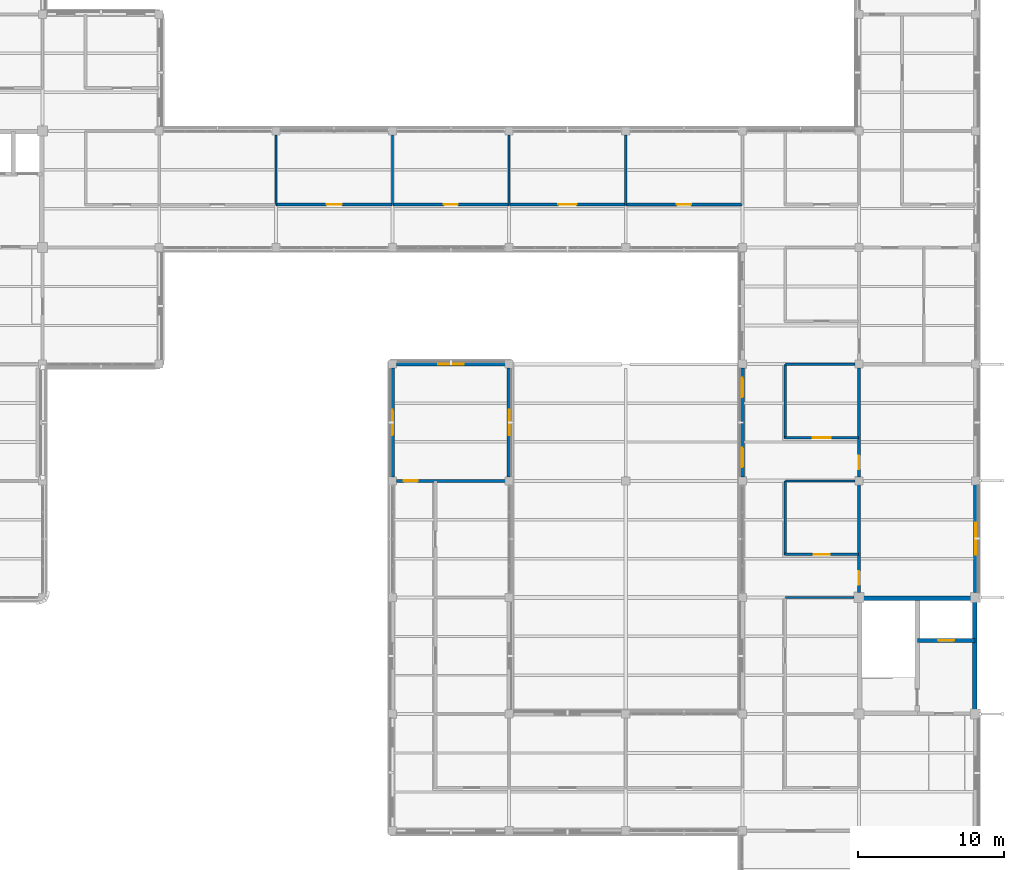
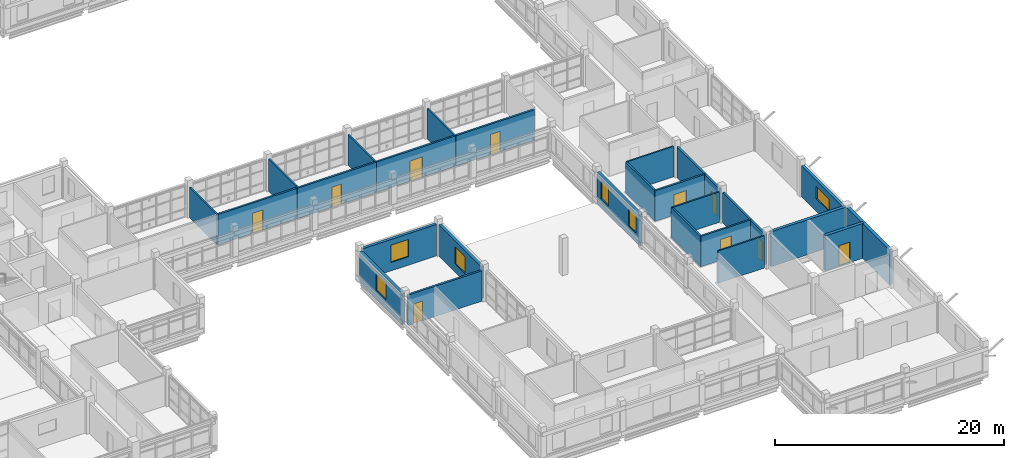
# One storey, part 84 of 107: 26 walls, 10 doors, 6 windows, 16 openings.
"""IFC4 building model written with IfcOpenShell, lengths in metres."""

import ifcopenshell
import ifcopenshell.guid

model = None  # the IFC model being written
_history = None  # IfcOwnerHistory: only IFC2X3 demands one
_inside = {}  # id of a spatial element -> (the spatial element, [elements in it])
_under = {}  # id of a project, library or spatial element -> (it, [spatial elements below it])
_declared = {}  # id of a project -> (the project, [libraries it declares])
_typed = {}  # id of a type object -> (the type object, [elements of that type])
_made_of = {}  # id of a material, layer set ... -> (it, [elements and type objects made of it])


def new_model(schema):
    """Start an empty IFC model of exactly this schema.

    Asked for "IFC4X3", IfcOpenShell would pick the latest addendum, in which some entities
    have other attributes; the version numbers below select the first issue.
    IFC2X3 requires an IfcOwnerHistory on every rooted entity: one is made here for all.
    """
    global model, _history
    if schema == "IFC4X3":
        model = ifcopenshell.file(schema_version=(4, 3, 0, 0))
    else:
        model = ifcopenshell.file(schema=schema)
    _inside.clear()
    _under.clear()
    _declared.clear()
    _typed.clear()
    _made_of.clear()
    _history = None
    if model.schema == "IFC2X3":
        org = make("IfcOrganization", Name="unknown")
        user = make(
            "IfcPersonAndOrganization",
            ThePerson=make("IfcPerson", FamilyName="unknown"),
            TheOrganization=org,
        )
        app = make(
            "IfcApplication",
            ApplicationDeveloper=org,
            Version="unknown",
            ApplicationFullName="unknown",
            ApplicationIdentifier="unknown",
        )
        _history = make(
            "IfcOwnerHistory",
            OwningUser=user,
            OwningApplication=app,
            ChangeAction="ADDED",
            CreationDate=0,
        )
    return model


def make(cls, **values):
    """One entity of the class cls with the attributes given. An attribute that is None is left unset."""
    return model.create_entity(
        cls, **{name: value for name, value in values.items() if value is not None}
    )


def rooted(cls, **values):
    """An entity with a GlobalId (a new one), such as an element, a storey or a relation."""
    return make(cls, GlobalId=ifcopenshell.guid.new(), OwnerHistory=_history, **values)


def si_unit(unit_type, name, prefix=None):
    """IfcSIUnit, for example si_unit("LENGTHUNIT", "METRE", prefix="MILLI")."""
    return make("IfcSIUnit", UnitType=unit_type, Prefix=prefix, Name=name)


def derived_unit(unit_type, elements):
    """IfcDerivedUnit: a product of units, each with its exponent."""
    return make(
        "IfcDerivedUnit",
        Elements=[
            make("IfcDerivedUnitElement", Unit=unit, Exponent=power)
            for unit, power in elements
        ],
        UnitType=unit_type,
    )


def assignment(units):
    """IfcUnitAssignment: the units of a project."""
    return None if units is None else make("IfcUnitAssignment", Units=units)


def point(xyz):
    """IfcCartesianPoint."""
    return None if xyz is None else make("IfcCartesianPoint", Coordinates=xyz)


def direction(xyz):
    """IfcDirection."""
    return None if xyz is None else make("IfcDirection", DirectionRatios=xyz)


def frame(location, z_axis=None, x_axis=None):
    """IfcAxis2Placement3D, a coordinate frame: its origin and axes. An axis left out is left unset."""
    return make(
        "IfcAxis2Placement3D",
        Location=point(location),
        Axis=direction(z_axis),
        RefDirection=direction(x_axis),
    )


def frame_2d(location, x_axis=None):
    """IfcAxis2Placement2D, a coordinate frame in the plane: its origin and x axis."""
    return make(
        "IfcAxis2Placement2D", Location=point(location), RefDirection=direction(x_axis)
    )


def origin():
    """The frame at (0, 0, 0) with its axes left unset."""
    return frame((0.0, 0.0, 0.0))


def place(relative_to, where):
    """IfcLocalPlacement: puts the frame where relative to a parent placement (None: the world)."""
    return make(
        "IfcLocalPlacement", PlacementRelTo=relative_to, RelativePlacement=where
    )


def context(
    kind, dimensions, precision=None, world=None, true_north=None, identifier=None
):
    """IfcGeometricRepresentationContext, for example the 3D "Model" context."""
    return make(
        "IfcGeometricRepresentationContext",
        ContextIdentifier=identifier,
        ContextType=kind,
        CoordinateSpaceDimension=dimensions,
        Precision=precision,
        WorldCoordinateSystem=world,
        TrueNorth=true_north,
    )


def subcontext(parent, identifier, kind, view, scale=None):
    """IfcGeometricRepresentationSubContext, for example "Body" below "Model"."""
    return make(
        "IfcGeometricRepresentationSubContext",
        ContextIdentifier=identifier,
        ContextType=kind,
        ParentContext=parent,
        TargetScale=scale,
        TargetView=view,
    )


def project(units=None, contexts=None):
    """IfcProject with its units and contexts."""
    return rooted(
        "IfcProject",
        Name="project",
        RepresentationContexts=contexts,
        UnitsInContext=assignment(units),
    )


def spatial(cls, under=None, at=None, **own):
    """A site, building, storey or space (cls), placed at a placement, below another one or the project."""
    s = rooted(cls, ObjectPlacement=at, **own)
    if under is not None:
        _under.setdefault(under.id(), (under, []))[1].append(s)
    return s


def profile(cls, at=None, kind="AREA", **sizes):
    """A parametric profile (cls). Its sizes go by their IFC names, for example OverallWidth=200.0."""
    return make(cls, ProfileType=kind, Position=at, **sizes)


def rectangle(**sizes):
    """IfcRectangleProfileDef."""
    return profile("IfcRectangleProfileDef", **sizes)


def extrude(swept, where, along, depth):
    """IfcExtrudedAreaSolid: the profile swept, set in the frame where, extruded along a direction by depth."""
    return make(
        "IfcExtrudedAreaSolid",
        SweptArea=swept,
        Position=where,
        ExtrudedDirection=direction(along),
        Depth=depth,
    )


def shape(context_of_items, identifier, shape_type, items):
    """IfcShapeRepresentation: the items that make up one representation, for example the "Body"."""
    return make(
        "IfcShapeRepresentation",
        ContextOfItems=context_of_items,
        RepresentationIdentifier=identifier,
        RepresentationType=shape_type,
        Items=items,
    )


def material(Name=None, Category=None):
    """IfcMaterial."""
    return make("IfcMaterial", Name=Name, Category=Category)


def layer(
    of_material, thickness, ventilated=None, Name=None, Category=None, Priority=None
):
    """IfcMaterialLayer: one layer of a wall or slab, of a material (None: an air gap)."""
    return make(
        "IfcMaterialLayer",
        Material=of_material,
        LayerThickness=thickness,
        IsVentilated=ventilated,
        Name=Name,
        Category=Category,
        Priority=Priority,
    )


def layer_set(layers, Name=None):
    """IfcMaterialLayerSet."""
    return make("IfcMaterialLayerSet", MaterialLayers=layers, LayerSetName=Name)


def made_of(thing, what):
    """Note that an element or type object is made of a material, layer set ...; save() writes the relation."""
    if what is not None:
        _made_of.setdefault(what.id(), (what, []))[1].append(thing)
    return thing


def type_object(cls, material=None, **own):
    """A type object (cls), such as IfcWallType, which elements share."""
    return made_of(rooted(cls, **own), material)


def element(
    cls,
    number,
    at=None,
    inside=None,
    cuts=None,
    type_object=None,
    material=None,
    context=None,
    identifier="Body",
    shape_type=None,
    held_by="IfcProductDefinitionShape",
    body=None,
    shapes=None,
    **own,
):
    """One element of the class cls, such as IfcWall. Its Tag is "e" and its number.

    at: its placement. inside: the storey or other place that contains it. cuts: it is an
    opening in that element (IfcRelVoidsElement). A single representation is given by context,
    identifier, shape_type and body (its items); several are given by shapes. held_by: the class
    of the entity that holds the representations. save() writes the other relations.
    """
    e = rooted(cls, Tag="e%d" % number, ObjectPlacement=at, **own)
    if body is not None:
        shapes = [shape(context, identifier, shape_type, body)]
    if shapes is not None:
        e.Representation = make(held_by, Representations=shapes)
    if inside is not None:
        _inside.setdefault(inside.id(), (inside, []))[1].append(e)
    if cuts is not None:
        rooted(
            "IfcRelVoidsElement", RelatingBuildingElement=cuts, RelatedOpeningElement=e
        )
    if type_object is not None:
        _typed.setdefault(type_object.id(), (type_object, []))[1].append(e)
    return made_of(e, material)


def fill(opening, filler):
    """IfcRelFillsElement: the door or window that sits in an opening."""
    return rooted(
        "IfcRelFillsElement",
        RelatingOpeningElement=opening,
        RelatedBuildingElement=filler,
    )


def aggregate(whole, parts):
    """IfcRelAggregates: a whole, such as a stair, and the parts it consists of."""
    return rooted("IfcRelAggregates", RelatingObject=whole, RelatedObjects=parts)


def save(model, path):
    """Write the relations noted so far, then the file.

    IfcRelAggregates (storeys below a building ...), IfcRelContainedInSpatialStructure (elements
    in a storey), IfcRelDefinesByType, IfcRelAssociatesMaterial and IfcRelDeclares: one each for
    every whole, place, type object, material and project.
    """
    for whole, parts in _under.values():
        aggregate(whole, parts)
    for where, things in _inside.values():
        rooted(
            "IfcRelContainedInSpatialStructure",
            RelatedElements=things,
            RelatingStructure=where,
        )
    for kind, things in _typed.values():
        rooted("IfcRelDefinesByType", RelatedObjects=things, RelatingType=kind)
    for what, things in _made_of.values():
        rooted("IfcRelAssociatesMaterial", RelatedObjects=things, RelatingMaterial=what)
    for by, libraries in _declared.values():
        rooted("IfcRelDeclares", RelatingContext=by, RelatedDefinitions=libraries)
    model.write(path)


model = new_model("IFC4")

# Units and contexts
model_context = context("Model", 3, precision=1e-05, world=origin(), true_north=direction((0.0, 1.0)))
body_context = subcontext(model_context, "Body", "Model", "MODEL_VIEW")
ifc_project = project(units=[si_unit("LENGTHUNIT", "METRE"), si_unit("AREAUNIT", "SQUARE_METRE"), si_unit("VOLUMEUNIT", "CUBIC_METRE"), si_unit("PLANEANGLEUNIT", "RADIAN"), si_unit("MASSUNIT", "GRAM", prefix="KILO"), derived_unit("THERMALTRANSMITTANCEUNIT", [(si_unit("MASSUNIT", "GRAM", prefix="KILO"), 1), (si_unit("TIMEUNIT", "SECOND"), -3), (si_unit("THERMODYNAMICTEMPERATUREUNIT", "KELVIN"), -1)])], contexts=[model_context])

# Site, building, storey
site_placement = place(None, origin())
site = spatial("IfcSite", under=ifc_project, at=site_placement, CompositionType="ELEMENT")
building_placement = place(site_placement, origin())
building = spatial("IfcBuilding", under=site, at=building_placement, Name="Veyamyaing Civic Hall", CompositionType="ELEMENT")
storey_placement = place(building_placement, frame((0.0, 0.0, 13.860107421875)))
storey = spatial("IfcBuildingStorey", under=building, at=storey_placement, Name="L03", CompositionType="ELEMENT", Elevation=13.860107421875)

# Walls
ifc_material_1 = material(Name="Concrete C40/50", Category="concrete")
ifc_layer_1 = layer(ifc_material_1, 0.300048828125, Name="Concrete C40/50")
ifc_layer_set_1 = layer_set([ifc_layer_1], Name="Concrete C40/50")
wall_type_1 = type_object("IfcWallType", Name="WT-05", PredefinedType="SHEAR", material=ifc_layer_set_1)
for number, where, z_axis, x_axis, name in (
    (1, (168.239990234375, 23.949951171875, 0.0), (0.0, 0.0, 1.0), (1.0, 0.0, 0.0), "Core shear wall WT-05 CORE-8 L03.N"),
    (2, (175.949951171875, 16.239990234375, 0.0), (0.0, 0.0, 1.0), (0.0, 1.0, 0.0), "Core shear wall WT-05 CORE-8 L03.E"),
):
    element("IfcWall", number, at=place(storey_placement, frame(where, z_axis=z_axis, x_axis=x_axis)), inside=storey, type_object=wall_type_1, Name=name, PredefinedType="SHEAR", context=body_context, shape_type="SweptSolid", body=[
        extrude(rectangle(XDim=7.52001953125, YDim=0.300048828125, at=frame_2d((3.760009765625, 0.0))), origin(), (0.0, 0.0, 1.0), 3.724853515625),
    ])

# Wall, opening, door
wall_1_placement = place(storey_placement, frame((172.0, 21.050048828125, 0.0), z_axis=(0.0, 0.0, 1.0), x_axis=(1.0, 0.0, 0.0)))
wall_1 = element("IfcWall", 3, at=wall_1_placement, inside=storey, type_object=wall_type_1, Name="Core shear wall WT-05 CORE-8 L03.LFT", PredefinedType="SHEAR", context=body_context, shape_type="SweptSolid", body=[
    extrude(rectangle(XDim=3.949951171875, YDim=0.300048828125, at=frame_2d((1.97509765625, 0.0))), origin(), (0.0, 0.0, 1.0), 3.724853515625),
])
opening_1_placement = place(wall_1_placement, frame((1.425048828125, 0.0, 0.0)))
opening_1 = element("IfcOpeningElement", 4, at=opening_1_placement, cuts=wall_1, Name="Opening LD-01", PredefinedType="OPENING", context=body_context, shape_type="SweptSolid", body=[
    extrude(rectangle(XDim=1.10009765625, YDim=2.199951171875, at=frame_2d((0.550048828125, 1.10009765625))), frame((0.0, 0.159912109375, 0.0), z_axis=(0.0, -1.0, 0.0), x_axis=(1.0, 0.0, 0.0)), (0.0, 0.0, 1.0), 0.320068359375),
])
ifc_material_2 = material(Name="Anodised aluminium 6063-T6", Category="aluminium")
door_type_1 = type_object("IfcDoorType", Name="LD-01", OperationType="SLIDING_TO_LEFT", PredefinedType="DOOR", material=ifc_material_2)
door_1_placement = place(opening_1_placement, origin())
door_1 = element("IfcDoor", 5, at=door_1_placement, inside=storey, type_object=door_type_1, Name="Lift sliding landing door LD-01 PL-06 L03", OperationType="SLIDING_TO_LEFT", OverallHeight=2.199951171875, OverallWidth=1.10009765625, PredefinedType="DOOR", context=body_context, shape_type="SweptSolid", body=[
    extrude(rectangle(XDim=1.10009765625, YDim=2.199951171875, at=frame_2d((0.550048828125, 1.10009765625))), frame((0.0, 0.02490234375, 0.0), z_axis=(0.0, -1.0, 0.0), x_axis=(1.0, 0.0, 0.0)), (0.0, 0.0, 1.0), 0.050048828125),
])
fill(opening_1, door_1)

ifc_layer_2 = layer(ifc_material_1, 0.199951171875, Name="Concrete C40/50")
ifc_layer_set_2 = layer_set([ifc_layer_2], Name="Concrete C40/50")
wall_type_2 = type_object("IfcWallType", Name="WT-06", PredefinedType="PARTITIONING", material=ifc_layer_set_2)
wall_2_placement = place(storey_placement, frame((136.264892578125, 32.0, 0.0), z_axis=(0.0, 0.0, 1.0), x_axis=(1.0, 0.0, 0.0)))
wall_2 = element("IfcWall", 6, at=wall_2_placement, inside=storey, type_object=wall_type_2, Name="Interior partition wall WT-06 L03.23", PredefinedType="PARTITIONING", context=body_context, shape_type="SweptSolid", body=[
    extrude(rectangle(XDim=7.47021484375, YDim=0.199951171875, at=frame_2d((3.735107421875, 0.0))), origin(), (0.0, 0.0, 1.0), 3.247802734375),
])
opening_2_placement = place(wall_2_placement, frame((0.52001953125, 0.0, 0.0)))
opening_2 = element("IfcOpeningElement", 7, at=opening_2_placement, cuts=wall_2, Name="Opening D-30", PredefinedType="OPENING", context=body_context, shape_type="SweptSolid", body=[
    extrude(rectangle(XDim=0.93994140625, YDim=2.1201171875, at=frame_2d((0.469970703125, 1.06005859375))), frame((0.0, 0.10986328125, 0.0), z_axis=(0.0, -1.0, 0.0), x_axis=(1.0, 0.0, 0.0)), (0.0, 0.0, 1.0), 0.219970703125),
])
ifc_material_3 = material(Name="Teak-veneered acoustic timber", Category="wood")
door_type_2 = type_object("IfcDoorType", Name="D-30", OperationType="NOTDEFINED", PredefinedType="DOOR", material=ifc_material_3)
door_2_placement = place(opening_2_placement, origin())
door_2 = element("IfcDoor", 8, at=door_2_placement, inside=storey, type_object=door_type_2, Name="Interior door D-30 L03.23", OperationType="SINGLE_SWING_LEFT", OverallHeight=2.1201171875, OverallWidth=0.93994140625, PredefinedType="DOOR", context=body_context, shape_type="SweptSolid", body=[
    extrude(rectangle(XDim=0.93994140625, YDim=2.1201171875, at=frame_2d((0.469970703125, 1.06005859375))), frame((0.0, 0.02490234375, 0.0), z_axis=(0.0, -1.0, 0.0), x_axis=(1.0, 0.0, 0.0)), (0.0, 0.0, 1.0), 0.050048828125),
])
fill(opening_2, door_2)

wall_3_placement = place(storey_placement, frame((168.0, 24.340087890625, 0.0), z_axis=(0.0, 0.0, 1.0), x_axis=(0.0, 1.0, 0.0)))
wall_3 = element("IfcWall", 9, at=wall_3_placement, inside=storey, type_object=wall_type_2, Name="Interior partition wall WT-06 L03.28", PredefinedType="PARTITIONING", context=body_context, shape_type="SweptSolid", body=[
    extrude(rectangle(XDim=7.39501953125, YDim=0.199951171875, at=frame_2d((3.697509765625, 0.0))), origin(), (0.0, 0.0, 1.0), 3.241943359375),
])
opening_3_placement = place(wall_3_placement, frame((0.52001953125, 0.0, 0.0)))
opening_3 = element("IfcOpeningElement", 10, at=opening_3_placement, cuts=wall_3, Name="Opening D-30", PredefinedType="OPENING", context=body_context, shape_type="SweptSolid", body=[
    extrude(rectangle(XDim=0.93994140625, YDim=2.1201171875, at=frame_2d((0.469970703125, 1.06005859375))), frame((0.0, 0.10986328125, 0.0), z_axis=(0.0, -1.0, 0.0), x_axis=(1.0, 0.0, 0.0)), (0.0, 0.0, 1.0), 0.219970703125),
])
door_3_placement = place(opening_3_placement, frame((0.93994140625, 0.0, 0.0), z_axis=(0.0, 0.0, 1.0), x_axis=(-1.0, 0.0, 0.0)))
door_3 = element("IfcDoor", 11, at=door_3_placement, inside=storey, type_object=door_type_2, Name="Interior door D-30 L03.28", OperationType="SINGLE_SWING_RIGHT", OverallHeight=2.1201171875, OverallWidth=0.93994140625, PredefinedType="DOOR", context=body_context, shape_type="SweptSolid", body=[
    extrude(rectangle(XDim=0.93994140625, YDim=2.1201171875, at=frame_2d((0.469970703125, 1.06005859375))), frame((0.0, 0.02490234375, 0.0), z_axis=(0.0, -1.0, 0.0), x_axis=(1.0, 0.0, 0.0)), (0.0, 0.0, 1.0), 0.050048828125),
])
fill(opening_3, door_3)

wall_4_placement = place(storey_placement, frame((168.0, 32.264892578125, 0.0), z_axis=(0.0, 0.0, 1.0), x_axis=(0.0, 1.0, 0.0)))
wall_4 = element("IfcWall", 12, at=wall_4_placement, inside=storey, type_object=wall_type_2, Name="Interior partition wall WT-06 L03.29", PredefinedType="PARTITIONING", context=body_context, shape_type="SweptSolid", body=[
    extrude(rectangle(XDim=7.47021484375, YDim=0.199951171875, at=frame_2d((3.735107421875, 0.0))), origin(), (0.0, 0.0, 1.0), 3.2578125),
])
opening_4_placement = place(wall_4_placement, frame((0.52001953125, 0.0, 0.0)))
opening_4 = element("IfcOpeningElement", 13, at=opening_4_placement, cuts=wall_4, Name="Opening D-30", PredefinedType="OPENING", context=body_context, shape_type="SweptSolid", body=[
    extrude(rectangle(XDim=0.93994140625, YDim=2.1201171875, at=frame_2d((0.469970703125, 1.06005859375))), frame((0.0, 0.10986328125, 0.0), z_axis=(0.0, -1.0, 0.0), x_axis=(1.0, 0.0, 0.0)), (0.0, 0.0, 1.0), 0.219970703125),
])
door_4_placement = place(opening_4_placement, frame((0.93994140625, 0.0, 0.0), z_axis=(0.0, 0.0, 1.0), x_axis=(-1.0, 0.0, 0.0)))
door_4 = element("IfcDoor", 14, at=door_4_placement, inside=storey, type_object=door_type_2, Name="Interior door D-30 L03.29", OperationType="SINGLE_SWING_LEFT", OverallHeight=2.1201171875, OverallWidth=0.93994140625, PredefinedType="DOOR", context=body_context, shape_type="SweptSolid", body=[
    extrude(rectangle(XDim=0.93994140625, YDim=2.1201171875, at=frame_2d((0.469970703125, 1.06005859375))), frame((0.0, 0.02490234375, 0.0), z_axis=(0.0, -1.0, 0.0), x_axis=(1.0, 0.0, 0.0)), (0.0, 0.0, 1.0), 0.050048828125),
])
fill(opening_4, door_4)

ifc_material_4 = material(Name="Gypsum board on acoustic steel stud", Category="steel")
ifc_layer_3 = layer(ifc_material_4, 0.175048828125, Name="Gypsum board on acoustic steel stud")
ifc_layer_set_3 = layer_set([ifc_layer_3], Name="Gypsum board on acoustic steel stud")
wall_type_3 = type_object("IfcWallType", Name="WT-07", PredefinedType="PARTITIONING", material=ifc_layer_set_3)
wall_5_placement = place(storey_placement, frame((162.89990234375, 26.949951171875, 0.0), z_axis=(0.0, 0.0, 1.0), x_axis=(1.0, 0.0, 0.0)))
wall_5 = element("IfcWall", 15, at=wall_5_placement, inside=storey, type_object=wall_type_3, Name="Corridor gallery partition WT-07 L03.53.1", PredefinedType="PARTITIONING", context=body_context, shape_type="SweptSolid", body=[
    extrude(rectangle(XDim=5.080078125, YDim=0.175048828125, at=frame_2d((2.5400390625, 0.0))), origin(), (0.0, 0.0, 1.0), 3.241943359375),
])
opening_5_placement = place(wall_5_placement, frame((1.97998046875, 0.0, 0.0)))
opening_5 = element("IfcOpeningElement", 16, at=opening_5_placement, cuts=wall_5, Name="Opening D-26", PredefinedType="OPENING", context=body_context, shape_type="SweptSolid", body=[
    extrude(rectangle(XDim=1.1201171875, YDim=2.219970703125, at=frame_2d((0.56005859375, 1.10986328125))), frame((0.0, 0.097412109375, 0.0), z_axis=(0.0, -1.0, 0.0), x_axis=(1.0, 0.0, 0.0)), (0.0, 0.0, 1.0), 0.195068359375),
])
door_type_3 = type_object("IfcDoorType", Name="D-26", OperationType="NOTDEFINED", PredefinedType="DOOR", material=ifc_material_3)
door_5_placement = place(opening_5_placement, origin())
door_5 = element("IfcDoor", 17, at=door_5_placement, inside=storey, type_object=door_type_3, Name="Gallery office door D-26 L03.53", OperationType="SINGLE_SWING_LEFT", OverallHeight=2.219970703125, OverallWidth=1.1201171875, PredefinedType="DOOR", context=body_context, shape_type="SweptSolid", body=[
    extrude(rectangle(XDim=1.1201171875, YDim=2.219970703125, at=frame_2d((0.56005859375, 1.10986328125))), frame((0.0, 0.02490234375, 0.0), z_axis=(0.0, -1.0, 0.0), x_axis=(1.0, 0.0, 0.0)), (0.0, 0.0, 1.0), 0.050048828125),
])
fill(opening_5, door_5)

# Walls
wall_6_placement = place(storey_placement, frame((162.949951171875, 26.89990234375, 0.0), z_axis=(0.0, 0.0, 1.0), x_axis=(0.0, 1.0, 0.0)))
element("IfcWall", 18, at=wall_6_placement, inside=storey, type_object=wall_type_3, Name="Corridor gallery partition WT-07 L03.53.2", PredefinedType="PARTITIONING", context=body_context, shape_type="SweptSolid", body=[
    extrude(rectangle(XDim=5.080078125, YDim=0.175048828125, at=frame_2d((2.5400390625, 0.0))), origin(), (0.0, 0.0, 1.0), 3.241943359375),
])
ifc_material_5 = material(Name="Gypsum board on steel stud", Category="steel")
ifc_layer_4 = layer(ifc_material_5, 0.14990234375, Name="Gypsum board on steel stud")
ifc_layer_set_4 = layer_set([ifc_layer_4], Name="Gypsum board on steel stud")
wall_type_4 = type_object("IfcWallType", Name="WT-08", PredefinedType="PARTITIONING", material=ifc_layer_set_4)
wall_7_placement = place(storey_placement, frame((128.0, 50.949951171875, 0.0), z_axis=(0.0, 0.0, 1.0), x_axis=(0.0, 1.0, 0.0)))
element("IfcWall", 19, at=wall_7_placement, inside=storey, type_object=wall_type_4, Name="Gallery office end partition WT-08 L03.35.2", PredefinedType="PARTITIONING", context=body_context, shape_type="SweptSolid", body=[
    extrude(rectangle(XDim=4.76513671875, YDim=0.14990234375, at=frame_2d((2.382568359375, 0.0))), origin(), (0.0, 0.0, 1.0), 3.2529296875),
])
wall_8_placement = place(storey_placement, frame((136.0, 50.949951171875, 0.0), z_axis=(0.0, 0.0, 1.0), x_axis=(0.0, 1.0, 0.0)))
element("IfcWall", 20, at=wall_8_placement, inside=storey, type_object=wall_type_4, Name="Gallery office end partition WT-08 L03.36.2", PredefinedType="PARTITIONING", context=body_context, shape_type="SweptSolid", body=[
    extrude(rectangle(XDim=4.76513671875, YDim=0.14990234375, at=frame_2d((2.382568359375, 0.0))), origin(), (0.0, 0.0, 1.0), 3.451904296875),
])
wall_9_placement = place(storey_placement, frame((144.0, 50.949951171875, 0.0), z_axis=(0.0, 0.0, 1.0), x_axis=(0.0, 1.0, 0.0)))
element("IfcWall", 21, at=wall_9_placement, inside=storey, type_object=wall_type_4, Name="Gallery office end partition WT-08 L03.42.2", PredefinedType="PARTITIONING", context=body_context, shape_type="SweptSolid", body=[
    extrude(rectangle(XDim=4.76513671875, YDim=0.14990234375, at=frame_2d((2.382568359375, 0.0))), origin(), (0.0, 0.0, 1.0), 3.246826171875),
])
wall_10_placement = place(storey_placement, frame((152.0, 50.949951171875, 0.0), z_axis=(0.0, 0.0, 1.0), x_axis=(0.0, 1.0, 0.0)))
element("IfcWall", 22, at=wall_10_placement, inside=storey, type_object=wall_type_4, Name="Gallery office end partition WT-08 L03.44.2", PredefinedType="PARTITIONING", context=body_context, shape_type="SweptSolid", body=[
    extrude(rectangle(XDim=4.76513671875, YDim=0.14990234375, at=frame_2d((2.382568359375, 0.0))), origin(), (0.0, 0.0, 1.0), 3.2529296875),
])
wall_11_placement = place(storey_placement, frame((162.949951171875, 24.0, 0.0), z_axis=(0.0, 0.0, 1.0), x_axis=(1.0, 0.0, 0.0)))
element("IfcWall", 23, at=wall_11_placement, inside=storey, type_object=wall_type_4, Name="Gallery office end partition WT-08 L03.52.2", PredefinedType="PARTITIONING", context=body_context, shape_type="SweptSolid", body=[
    extrude(rectangle(XDim=4.68994140625, YDim=0.14990234375, at=frame_2d((2.344970703125, 0.0))), origin(), (0.0, 0.0, 1.0), 3.44677734375),
])
wall_12_placement = place(storey_placement, frame((162.949951171875, 32.0, 0.0), z_axis=(0.0, 0.0, 1.0), x_axis=(1.0, 0.0, 0.0)))
element("IfcWall", 24, at=wall_12_placement, inside=storey, type_object=wall_type_4, Name="Gallery office end partition WT-08 L03.53.1", PredefinedType="PARTITIONING", context=body_context, shape_type="SweptSolid", body=[
    extrude(rectangle(XDim=4.76513671875, YDim=0.14990234375, at=frame_2d((2.382568359375, 0.0))), origin(), (0.0, 0.0, 1.0), 3.241943359375),
])
wall_13_placement = place(storey_placement, frame((162.949951171875, 40.0, 0.0), z_axis=(0.0, 0.0, 1.0), x_axis=(1.0, 0.0, 0.0)))
element("IfcWall", 25, at=wall_13_placement, inside=storey, type_object=wall_type_4, Name="Gallery office end partition WT-08 L03.54.1", PredefinedType="PARTITIONING", context=body_context, shape_type="SweptSolid", body=[
    extrude(rectangle(XDim=4.76513671875, YDim=0.14990234375, at=frame_2d((2.382568359375, 0.0))), origin(), (0.0, 0.0, 1.0), 3.2578125),
])

# Wall, opening, window
ifc_material_6 = material(Name="Precast concrete C40/50", Category="concrete")
ifc_layer_5 = layer(ifc_material_6, 0.27001953125, Name="Precast concrete C40/50")
ifc_layer_set_5 = layer_set([ifc_layer_5], Name="Precast concrete C40/50")
wall_type_5 = type_object("IfcWallType", Name="WT-18", PredefinedType="SOLIDWALL", material=ifc_layer_set_5)
wall_14_placement = place(storey_placement, frame((136.260009765625, 40.0, 0.0), z_axis=(0.0, 0.0, 1.0), x_axis=(1.0, 0.0, 0.0)))
wall_14 = element("IfcWall", 26, at=wall_14_placement, inside=storey, type_object=wall_type_5, Name="Exterior facade wall WT-18 L03 N 18.5", PredefinedType="SOLIDWALL", context=body_context, shape_type="SweptSolid", body=[
    extrude(rectangle(XDim=7.47998046875, YDim=0.27001953125, at=frame_2d((3.739990234375, 0.0))), origin(), (0.0, 0.0, 1.0), 3.35888671875),
])
opening_6_placement = place(wall_14_placement, frame((2.864990234375, 0.0, 0.89990234375)))
opening_6 = element("IfcOpeningElement", 27, at=opening_6_placement, cuts=wall_14, Name="Opening W-28", PredefinedType="OPENING", context=body_context, shape_type="SweptSolid", body=[
    extrude(rectangle(XDim=1.75, YDim=1.85009765625, at=frame_2d((0.875, 0.925048828125))), frame((0.0, 0.14501953125, 0.0), z_axis=(0.0, -1.0, 0.0), x_axis=(1.0, 0.0, 0.0)), (0.0, 0.0, 1.0), 0.2900390625),
])
ifc_material_7 = material(Name="Low-E insulated glass", Category="glass")
window_type_1 = type_object("IfcWindowType", Name="W-28", PartitioningType="SINGLE_PANEL", PredefinedType="WINDOW", material=ifc_material_7)
window_1_placement = place(opening_6_placement, origin())
window_1 = element("IfcWindow", 28, at=window_1_placement, inside=storey, type_object=window_type_1, Name="Facade window W-28 L03 N 18.5", OverallHeight=1.85009765625, OverallWidth=1.75, PartitioningType="SINGLE_PANEL", PredefinedType="WINDOW", context=body_context, shape_type="SweptSolid", body=[
    extrude(rectangle(XDim=1.75, YDim=1.85009765625, at=frame_2d((0.875, 0.925048828125))), frame((0.0, 0.030029296875, 0.0), z_axis=(0.0, -1.0, 0.0), x_axis=(1.0, 0.0, 0.0)), (0.0, 0.0, 1.0), 0.06005859375),
])
fill(opening_6, window_1)

wall_15_placement = place(storey_placement, frame((136.0, 32.260009765625, 0.0), z_axis=(0.0, 0.0, 1.0), x_axis=(0.0, 1.0, 0.0)))
wall_15 = element("IfcWall", 29, at=wall_15_placement, inside=storey, type_object=wall_type_5, Name="Exterior facade wall WT-18 L03 W 18.5", PredefinedType="SOLIDWALL", context=body_context, shape_type="SweptSolid", body=[
    extrude(rectangle(XDim=7.47998046875, YDim=0.27001953125, at=frame_2d((3.739990234375, 0.0))), origin(), (0.0, 0.0, 1.0), 3.294921875),
])
opening_7_placement = place(wall_15_placement, frame((2.864990234375, 0.0, 0.89990234375)))
opening_7 = element("IfcOpeningElement", 30, at=opening_7_placement, cuts=wall_15, Name="Opening W-28", PredefinedType="OPENING", context=body_context, shape_type="SweptSolid", body=[
    extrude(rectangle(XDim=1.75, YDim=1.85009765625, at=frame_2d((0.875, 0.925048828125))), frame((0.0, 0.14501953125, 0.0), z_axis=(0.0, -1.0, 0.0), x_axis=(1.0, 0.0, 0.0)), (0.0, 0.0, 1.0), 0.2900390625),
])
window_2_placement = place(opening_7_placement, origin())
window_2 = element("IfcWindow", 31, at=window_2_placement, inside=storey, type_object=window_type_1, Name="Facade window W-28 L03 W 18.5", OverallHeight=1.85009765625, OverallWidth=1.75, PartitioningType="SINGLE_PANEL", PredefinedType="WINDOW", context=body_context, shape_type="SweptSolid", body=[
    extrude(rectangle(XDim=1.75, YDim=1.85009765625, at=frame_2d((0.875, 0.925048828125))), frame((0.0, 0.030029296875, 0.0), z_axis=(0.0, -1.0, 0.0), x_axis=(1.0, 0.0, 0.0)), (0.0, 0.0, 1.0), 0.06005859375),
])
fill(opening_7, window_2)

wall_16_placement = place(storey_placement, frame((144.0, 32.260009765625, 0.0), z_axis=(0.0, 0.0, 1.0), x_axis=(0.0, 1.0, 0.0)))
wall_16 = element("IfcWall", 32, at=wall_16_placement, inside=storey, type_object=wall_type_5, Name="Exterior facade wall WT-18 L03 E 18.5", PredefinedType="SOLIDWALL", context=body_context, shape_type="SweptSolid", body=[
    extrude(rectangle(XDim=7.47998046875, YDim=0.27001953125, at=frame_2d((3.739990234375, 0.0))), origin(), (0.0, 0.0, 1.0), 3.35888671875),
])
opening_8_placement = place(wall_16_placement, frame((2.864990234375, 0.0, 0.89990234375)))
opening_8 = element("IfcOpeningElement", 33, at=opening_8_placement, cuts=wall_16, Name="Opening W-28", PredefinedType="OPENING", context=body_context, shape_type="SweptSolid", body=[
    extrude(rectangle(XDim=1.75, YDim=1.85009765625, at=frame_2d((0.875, 0.925048828125))), frame((0.0, 0.14501953125, 0.0), z_axis=(0.0, -1.0, 0.0), x_axis=(1.0, 0.0, 0.0)), (0.0, 0.0, 1.0), 0.2900390625),
])
window_3_placement = place(opening_8_placement, origin())
window_3 = element("IfcWindow", 34, at=window_3_placement, inside=storey, type_object=window_type_1, Name="Facade window W-28 L03 E 18.5", OverallHeight=1.85009765625, OverallWidth=1.75, PartitioningType="SINGLE_PANEL", PredefinedType="WINDOW", context=body_context, shape_type="SweptSolid", body=[
    extrude(rectangle(XDim=1.75, YDim=1.85009765625, at=frame_2d((0.875, 0.925048828125))), frame((0.0, 0.030029296875, 0.0), z_axis=(0.0, -1.0, 0.0), x_axis=(1.0, 0.0, 0.0)), (0.0, 0.0, 1.0), 0.06005859375),
])
fill(opening_8, window_3)

# Wall, openings, windows
wall_17_placement = place(storey_placement, frame((160.0, 32.260009765625, 0.0), z_axis=(0.0, 0.0, 1.0), x_axis=(0.0, 1.0, 0.0)))
wall_17 = element("IfcWall", 35, at=wall_17_placement, inside=storey, type_object=wall_type_5, Name="Exterior facade wall WT-18 L03 W 21.5", PredefinedType="SOLIDWALL", context=body_context, shape_type="SweptSolid", body=[
    extrude(rectangle(XDim=7.47998046875, YDim=0.27001953125, at=frame_2d((3.739990234375, 0.0))), origin(), (0.0, 0.0, 1.0), 3.371826171875),
])
opening_9_placement = place(wall_17_placement, frame((0.67138671875, 0.0, 0.949951171875)))
opening_9 = element("IfcOpeningElement", 36, at=opening_9_placement, cuts=wall_17, Name="Opening W-13", PredefinedType="OPENING", context=body_context, shape_type="SweptSolid", body=[
    extrude(rectangle(XDim=1.35009765625, YDim=1.89990234375, at=frame_2d((0.675048828125, 0.949951171875))), frame((0.0, 0.14501953125, 0.0), z_axis=(0.0, -1.0, 0.0), x_axis=(1.0, 0.0, 0.0)), (0.0, 0.0, 1.0), 0.2900390625),
])
opening_10_placement = place(wall_17_placement, frame((5.45849609375, 0.0, 0.949951171875)))
opening_10 = element("IfcOpeningElement", 37, at=opening_10_placement, cuts=wall_17, Name="Opening W-13", PredefinedType="OPENING", context=body_context, shape_type="SweptSolid", body=[
    extrude(rectangle(XDim=1.35009765625, YDim=1.89990234375, at=frame_2d((0.675048828125, 0.949951171875))), frame((0.0, 0.14501953125, 0.0), z_axis=(0.0, -1.0, 0.0), x_axis=(1.0, 0.0, 0.0)), (0.0, 0.0, 1.0), 0.2900390625),
])
window_type_2 = type_object("IfcWindowType", Name="W-13", PartitioningType="SINGLE_PANEL", PredefinedType="WINDOW", material=ifc_material_7)
window_4_placement = place(opening_9_placement, origin())
window_4 = element("IfcWindow", 38, at=window_4_placement, inside=storey, type_object=window_type_2, Name="Facade window W-13 L03 W 21.5.1", OverallHeight=1.89990234375, OverallWidth=1.35009765625, PartitioningType="SINGLE_PANEL", PredefinedType="WINDOW", context=body_context, shape_type="SweptSolid", body=[
    extrude(rectangle(XDim=1.35009765625, YDim=1.89990234375, at=frame_2d((0.675048828125, 0.949951171875))), frame((0.0, 0.030029296875, 0.0), z_axis=(0.0, -1.0, 0.0), x_axis=(1.0, 0.0, 0.0)), (0.0, 0.0, 1.0), 0.06005859375),
])
fill(opening_9, window_4)
window_5_placement = place(opening_10_placement, origin())
window_5 = element("IfcWindow", 39, at=window_5_placement, inside=storey, type_object=window_type_2, Name="Facade window W-13 L03 W 21.5.2", OverallHeight=1.89990234375, OverallWidth=1.35009765625, PartitioningType="SINGLE_PANEL", PredefinedType="WINDOW", context=body_context, shape_type="SweptSolid", body=[
    extrude(rectangle(XDim=1.35009765625, YDim=1.89990234375, at=frame_2d((0.675048828125, 0.949951171875))), frame((0.0, 0.030029296875, 0.0), z_axis=(0.0, -1.0, 0.0), x_axis=(1.0, 0.0, 0.0)), (0.0, 0.0, 1.0), 0.06005859375),
])
fill(opening_10, window_5)

# Wall, opening, window
wall_18_placement = place(storey_placement, frame((176.0, 24.3349609375, 0.0), z_axis=(0.0, 0.0, 1.0), x_axis=(0.0, 1.0, 0.0)))
wall_18 = element("IfcWall", 40, at=wall_18_placement, inside=storey, type_object=wall_type_5, Name="Exterior facade wall WT-18 L03 E 22.4", PredefinedType="SOLIDWALL", context=body_context, shape_type="SweptSolid", body=[
    extrude(rectangle(XDim=7.405029296875, YDim=0.27001953125, at=frame_2d((3.70263671875, 0.0))), origin(), (0.0, 0.0, 1.0), 3.294921875),
])
opening_11_placement = place(wall_18_placement, frame((2.6025390625, 0.0, 1.35009765625)))
opening_11 = element("IfcOpeningElement", 41, at=opening_11_placement, cuts=wall_18, Name="Opening W-18", PredefinedType="OPENING", context=body_context, shape_type="SweptSolid", body=[
    extrude(rectangle(XDim=2.199951171875, YDim=1.300048828125, at=frame_2d((1.10009765625, 0.64990234375))), frame((0.0, 0.14501953125, 0.0), z_axis=(0.0, -1.0, 0.0), x_axis=(1.0, 0.0, 0.0)), (0.0, 0.0, 1.0), 0.2900390625),
])
window_type_3 = type_object("IfcWindowType", Name="W-18", PartitioningType="SINGLE_PANEL", PredefinedType="WINDOW", material=ifc_material_7)
window_6_placement = place(opening_11_placement, origin())
window_6 = element("IfcWindow", 42, at=window_6_placement, inside=storey, type_object=window_type_3, Name="Facade window W-18 L03 E 22.4", OverallHeight=1.300048828125, OverallWidth=2.199951171875, PartitioningType="SINGLE_PANEL", PredefinedType="WINDOW", context=body_context, shape_type="SweptSolid", body=[
    extrude(rectangle(XDim=2.199951171875, YDim=1.300048828125, at=frame_2d((1.10009765625, 0.64990234375))), frame((0.0, 0.030029296875, 0.0), z_axis=(0.0, -1.0, 0.0), x_axis=(1.0, 0.0, 0.0)), (0.0, 0.0, 1.0), 0.06005859375),
])
fill(opening_11, window_6)

# Wall, opening, door
ifc_material_8 = material(Name="Gypsum board on double acoustic stud")
ifc_layer_6 = layer(ifc_material_8, 0.18505859375, Name="Gypsum board on double acoustic stud")
ifc_layer_set_6 = layer_set([ifc_layer_6], Name="Gypsum board on double acoustic stud")
wall_type_6 = type_object("IfcWallType", Name="WT-19", PredefinedType="PARTITIONING", material=ifc_layer_set_6)
wall_19_placement = place(storey_placement, frame((128.02001953125, 50.949951171875, 0.0), z_axis=(0.0, 0.0, 1.0), x_axis=(1.0, 0.0, 0.0)))
wall_19 = element("IfcWall", 43, at=wall_19_placement, inside=storey, type_object=wall_type_6, Name="Corridor gallery partition WT-19 L03.36.1", PredefinedType="PARTITIONING", context=body_context, shape_type="SweptSolid", body=[
    extrude(rectangle(XDim=7.9599609375, YDim=0.18505859375, at=frame_2d((3.97998046875, 0.0))), origin(), (0.0, 0.0, 1.0), 3.2529296875),
])
opening_12_placement = place(wall_19_placement, frame((3.455078125, 0.0, 0.0)))
opening_12 = element("IfcOpeningElement", 44, at=opening_12_placement, cuts=wall_19, Name="Opening D-12", PredefinedType="OPENING", context=body_context, shape_type="SweptSolid", body=[
    extrude(rectangle(XDim=1.050048828125, YDim=2.14990234375, at=frame_2d((0.52490234375, 1.074951171875))), frame((0.0, 0.1025390625, 0.0), z_axis=(0.0, -1.0, 0.0), x_axis=(1.0, 0.0, 0.0)), (0.0, 0.0, 1.0), 0.205078125),
])
door_type_4 = type_object("IfcDoorType", Name="D-12", OperationType="NOTDEFINED", PredefinedType="DOOR", material=ifc_material_3)
door_6_placement = place(opening_12_placement, origin())
door_6 = element("IfcDoor", 45, at=door_6_placement, inside=storey, type_object=door_type_4, Name="Gallery office door D-12 L03.36", OperationType="SINGLE_SWING_RIGHT", OverallHeight=2.14990234375, OverallWidth=1.050048828125, PredefinedType="DOOR", context=body_context, shape_type="SweptSolid", body=[
    extrude(rectangle(XDim=1.050048828125, YDim=2.14990234375, at=frame_2d((0.52490234375, 1.074951171875))), frame((0.0, 0.02490234375, 0.0), z_axis=(0.0, -1.0, 0.0), x_axis=(1.0, 0.0, 0.0)), (0.0, 0.0, 1.0), 0.050048828125),
])
fill(opening_12, door_6)

wall_20_placement = place(storey_placement, frame((136.02001953125, 50.949951171875, 0.0), z_axis=(0.0, 0.0, 1.0), x_axis=(1.0, 0.0, 0.0)))
wall_20 = element("IfcWall", 46, at=wall_20_placement, inside=storey, type_object=wall_type_6, Name="Corridor gallery partition WT-19 L03.42.1", PredefinedType="PARTITIONING", context=body_context, shape_type="SweptSolid", body=[
    extrude(rectangle(XDim=7.9599609375, YDim=0.18505859375, at=frame_2d((3.97998046875, 0.0))), origin(), (0.0, 0.0, 1.0), 3.246826171875),
])
opening_13_placement = place(wall_20_placement, frame((3.5, 0.0, 0.0)))
opening_13 = element("IfcOpeningElement", 47, at=opening_13_placement, cuts=wall_20, Name="Opening D-25", PredefinedType="OPENING", context=body_context, shape_type="SweptSolid", body=[
    extrude(rectangle(XDim=0.9599609375, YDim=2.139892578125, at=frame_2d((0.47998046875, 1.06982421875))), frame((0.0, 0.1025390625, 0.0), z_axis=(0.0, -1.0, 0.0), x_axis=(1.0, 0.0, 0.0)), (0.0, 0.0, 1.0), 0.205078125),
])
door_type_5 = type_object("IfcDoorType", Name="D-25", OperationType="NOTDEFINED", PredefinedType="DOOR", material=ifc_material_3)
door_7_placement = place(opening_13_placement, origin())
door_7 = element("IfcDoor", 48, at=door_7_placement, inside=storey, type_object=door_type_5, Name="Gallery office door D-25 L03.42", OperationType="SINGLE_SWING_RIGHT", OverallHeight=2.139892578125, OverallWidth=0.9599609375, PredefinedType="DOOR", context=body_context, shape_type="SweptSolid", body=[
    extrude(rectangle(XDim=0.9599609375, YDim=2.139892578125, at=frame_2d((0.47998046875, 1.06982421875))), frame((0.0, 0.02490234375, 0.0), z_axis=(0.0, -1.0, 0.0), x_axis=(1.0, 0.0, 0.0)), (0.0, 0.0, 1.0), 0.050048828125),
])
fill(opening_13, door_7)

wall_21_placement = place(storey_placement, frame((144.02001953125, 50.949951171875, 0.0), z_axis=(0.0, 0.0, 1.0), x_axis=(1.0, 0.0, 0.0)))
wall_21 = element("IfcWall", 49, at=wall_21_placement, inside=storey, type_object=wall_type_6, Name="Corridor gallery partition WT-19 L03.44.1", PredefinedType="PARTITIONING", context=body_context, shape_type="SweptSolid", body=[
    extrude(rectangle(XDim=7.9599609375, YDim=0.18505859375, at=frame_2d((3.97998046875, 0.0))), origin(), (0.0, 0.0, 1.0), 3.246826171875),
])
opening_14_placement = place(wall_21_placement, frame((3.35498046875, 0.0, 0.0)))
opening_14 = element("IfcOpeningElement", 50, at=opening_14_placement, cuts=wall_21, Name="Opening D-29", PredefinedType="OPENING", context=body_context, shape_type="SweptSolid", body=[
    extrude(rectangle(XDim=1.25, YDim=2.179931640625, at=frame_2d((0.625, 1.08984375))), frame((0.0, 0.1025390625, 0.0), z_axis=(0.0, -1.0, 0.0), x_axis=(1.0, 0.0, 0.0)), (0.0, 0.0, 1.0), 0.205078125),
])
door_type_6 = type_object("IfcDoorType", Name="D-29", OperationType="NOTDEFINED", PredefinedType="DOOR", material=ifc_material_3)
door_8_placement = place(opening_14_placement, origin())
door_8 = element("IfcDoor", 51, at=door_8_placement, inside=storey, type_object=door_type_6, Name="Gallery office door D-29 L03.44", OperationType="SINGLE_SWING_RIGHT", OverallHeight=2.179931640625, OverallWidth=1.25, PredefinedType="DOOR", context=body_context, shape_type="SweptSolid", body=[
    extrude(rectangle(XDim=1.25, YDim=2.179931640625, at=frame_2d((0.625, 1.08984375))), frame((0.0, 0.02490234375, 0.0), z_axis=(0.0, -1.0, 0.0), x_axis=(1.0, 0.0, 0.0)), (0.0, 0.0, 1.0), 0.050048828125),
])
fill(opening_14, door_8)

wall_22_placement = place(storey_placement, frame((152.02001953125, 50.949951171875, 0.0), z_axis=(0.0, 0.0, 1.0), x_axis=(1.0, 0.0, 0.0)))
wall_22 = element("IfcWall", 52, at=wall_22_placement, inside=storey, type_object=wall_type_6, Name="Corridor gallery partition WT-19 L03.48.1", PredefinedType="PARTITIONING", context=body_context, shape_type="SweptSolid", body=[
    extrude(rectangle(XDim=7.9599609375, YDim=0.18505859375, at=frame_2d((3.97998046875, 0.0))), origin(), (0.0, 0.0, 1.0), 3.2529296875),
])
opening_15_placement = place(wall_22_placement, frame((3.489990234375, 0.0, 0.0)))
opening_15 = element("IfcOpeningElement", 53, at=opening_15_placement, cuts=wall_22, Name="Opening D-14", PredefinedType="OPENING", context=body_context, shape_type="SweptSolid", body=[
    extrude(rectangle(XDim=0.97998046875, YDim=2.14990234375, at=frame_2d((0.489990234375, 1.074951171875))), frame((0.0, 0.1025390625, 0.0), z_axis=(0.0, -1.0, 0.0), x_axis=(1.0, 0.0, 0.0)), (0.0, 0.0, 1.0), 0.205078125),
])
door_type_7 = type_object("IfcDoorType", Name="D-14", OperationType="NOTDEFINED", PredefinedType="DOOR", material=ifc_material_3)
door_9_placement = place(opening_15_placement, origin())
door_9 = element("IfcDoor", 54, at=door_9_placement, inside=storey, type_object=door_type_7, Name="Gallery office door D-14 L03.48", OperationType="SINGLE_SWING_RIGHT", OverallHeight=2.14990234375, OverallWidth=0.97998046875, PredefinedType="DOOR", context=body_context, shape_type="SweptSolid", body=[
    extrude(rectangle(XDim=0.97998046875, YDim=2.14990234375, at=frame_2d((0.489990234375, 1.074951171875))), frame((0.0, 0.02490234375, 0.0), z_axis=(0.0, -1.0, 0.0), x_axis=(1.0, 0.0, 0.0)), (0.0, 0.0, 1.0), 0.050048828125),
])
fill(opening_15, door_9)

wall_23_placement = place(storey_placement, frame((162.89990234375, 34.949951171875, 0.0), z_axis=(0.0, 0.0, 1.0), x_axis=(1.0, 0.0, 0.0)))
wall_23 = element("IfcWall", 55, at=wall_23_placement, inside=storey, type_object=wall_type_6, Name="Corridor gallery partition WT-19 L03.54.1", PredefinedType="PARTITIONING", context=body_context, shape_type="SweptSolid", body=[
    extrude(rectangle(XDim=5.080078125, YDim=0.18505859375, at=frame_2d((2.5400390625, 0.0))), origin(), (0.0, 0.0, 1.0), 3.2578125),
])
opening_16_placement = place(wall_23_placement, frame((1.9150390625, 0.0, 0.0)))
opening_16 = element("IfcOpeningElement", 56, at=opening_16_placement, cuts=wall_23, Name="Opening D-29", PredefinedType="OPENING", context=body_context, shape_type="SweptSolid", body=[
    extrude(rectangle(XDim=1.25, YDim=2.179931640625, at=frame_2d((0.625, 1.08984375))), frame((0.0, 0.1025390625, 0.0), z_axis=(0.0, -1.0, 0.0), x_axis=(1.0, 0.0, 0.0)), (0.0, 0.0, 1.0), 0.205078125),
])
door_10_placement = place(opening_16_placement, origin())
door_10 = element("IfcDoor", 57, at=door_10_placement, inside=storey, type_object=door_type_6, Name="Gallery office door D-29 L03.54", OperationType="SINGLE_SWING_RIGHT", OverallHeight=2.179931640625, OverallWidth=1.25, PredefinedType="DOOR", context=body_context, shape_type="SweptSolid", body=[
    extrude(rectangle(XDim=1.25, YDim=2.179931640625, at=frame_2d((0.625, 1.08984375))), frame((0.0, 0.02490234375, 0.0), z_axis=(0.0, -1.0, 0.0), x_axis=(1.0, 0.0, 0.0)), (0.0, 0.0, 1.0), 0.050048828125),
])
fill(opening_16, door_10)

# Wall
wall_24_placement = place(storey_placement, frame((162.949951171875, 34.89990234375, 0.0), z_axis=(0.0, 0.0, 1.0), x_axis=(0.0, 1.0, 0.0)))
element("IfcWall", 58, at=wall_24_placement, inside=storey, type_object=wall_type_6, Name="Corridor gallery partition WT-19 L03.54.2", PredefinedType="PARTITIONING", context=body_context, shape_type="SweptSolid", body=[
    extrude(rectangle(XDim=5.080078125, YDim=0.18505859375, at=frame_2d((2.5400390625, 0.0))), origin(), (0.0, 0.0, 1.0), 3.2578125),
])

save(model, "model.ifc")
